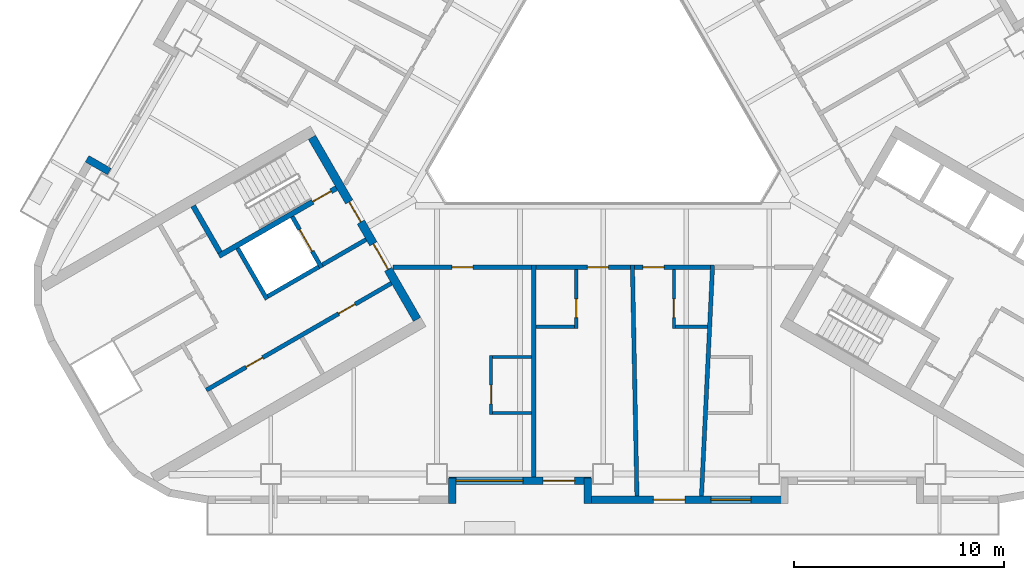
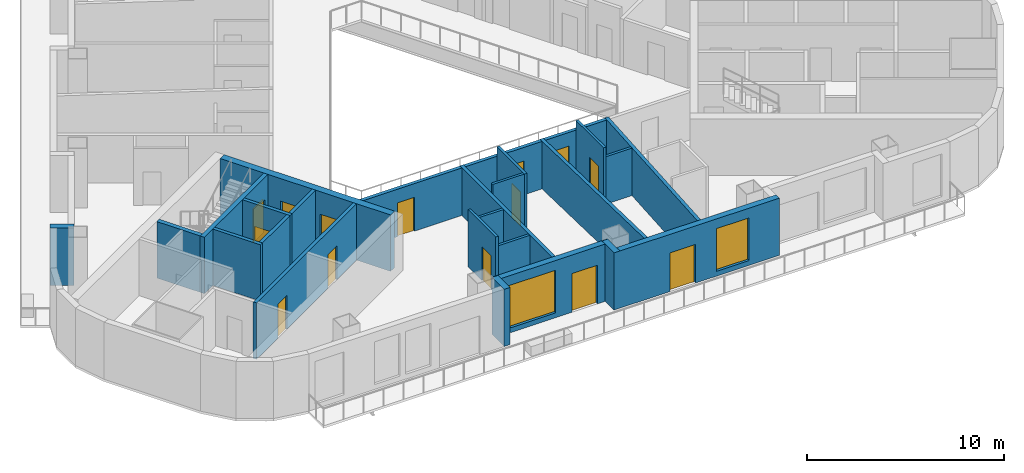
# One storey, part 3 of 14: 26 walls, 14 doors, 2 windows, 16 openings.
"""IFC4 building model written with IfcOpenShell, lengths in metres."""

from ifc_helpers import new_model, si_unit, direction, frame, frame_2d, origin, place, context, subcontext, project, spatial, rectangle, extrude, material, layer, layer_set, type_object, element, fill, save


model = new_model("IFC4")

# Units and contexts
model_context = context("Model", 3, precision=1e-05, world=origin(), true_north=direction((0.0, 1.0)))
body_context = subcontext(model_context, "Body", "Model", "MODEL_VIEW")
ifc_project = project(units=[si_unit("LENGTHUNIT", "METRE"), si_unit("AREAUNIT", "SQUARE_METRE"), si_unit("VOLUMEUNIT", "CUBIC_METRE"), si_unit("PLANEANGLEUNIT", "RADIAN"), si_unit("MASSUNIT", "GRAM", prefix="KILO")], contexts=[model_context])

# Site, building, storey
site_placement = place(None, origin())
site = spatial("IfcSite", under=ifc_project, at=site_placement, CompositionType="ELEMENT")
building_placement = place(site_placement, origin())
building = spatial("IfcBuilding", under=site, at=building_placement, Name="Apuvela Tower Hotel", CompositionType="ELEMENT")
storey_placement = place(building_placement, frame((0.0, 0.0, 50.199951171875)))
storey = spatial("IfcBuildingStorey", under=building, at=storey_placement, Name="L09", CompositionType="ELEMENT", Elevation=50.199951171875)

# Wall, openings, doors
ifc_material_1 = material(Name="Concrete C50/60", Category="concrete")
ifc_layer_1 = layer(ifc_material_1, 0.39990234375)
ifc_layer_set_1 = layer_set([ifc_layer_1], Name="COR-WALL-CORE-400")
wall_type_1 = type_object("IfcWallType", Name="COR-WALL-CORE-400", PredefinedType="SHEAR", material=ifc_layer_set_1)
wall_1_placement = place(storey_placement, frame((-13.844970703125, -2.219970703125, 0.0), z_axis=(0.0, 0.0, 1.0), x_axis=(0.500004234368, -0.866022959057, 0.0)))
wall_1 = element("IfcWall", 1, at=wall_1_placement, inside=storey, type_object=wall_type_1, Name="Core wall SW", PredefinedType="SHEAR", context=body_context, shape_type="SweptSolid", body=[
    extrude(rectangle(XDim=10.0, YDim=0.39990234375, at=frame_2d((5.0, 0.0))), origin(), (0.0, 0.0, 1.0), 3.5),
])
opening_1_placement = place(wall_1_placement, frame((3.550048828125, 0.0, 0.0)))
opening_1 = element("IfcOpeningElement", 2, at=opening_1_placement, cuts=wall_1, Name="Opening W-FD", PredefinedType="OPENING", context=body_context, shape_type="SweptSolid", body=[
    extrude(rectangle(XDim=1.10009765625, YDim=2.10009765625, at=frame_2d((0.550048828125, 1.050048828125))), frame((0.0, 0.2099609375, 0.0), z_axis=(0.0, -1.0, 0.0), x_axis=(1.0, 0.0, 0.0)), (0.0, 0.0, 1.0), 0.419921875),
])
opening_2_placement = place(wall_1_placement, frame((5.85009765625, 0.0, 0.0)))
opening_2 = element("IfcOpeningElement", 3, at=opening_2_placement, cuts=wall_1, Name="Opening W-GD", PredefinedType="OPENING", context=body_context, shape_type="SweptSolid", body=[
    extrude(rectangle(XDim=1.39990234375, YDim=2.10009765625, at=frame_2d((0.699951171875, 1.050048828125))), frame((0.0, 0.2099609375, 0.0), z_axis=(0.0, -1.0, 0.0), x_axis=(1.0, 0.0, 0.0)), (0.0, 0.0, 1.0), 0.419921875),
])
ifc_material_2 = material(Name="Steel fire door, powder coated", Category="steel")
door_type_1 = type_object("IfcDoorType", Name="COR-FD-1100", OperationType="NOTDEFINED", PredefinedType="DOOR", material=ifc_material_2)
door_1_placement = place(opening_1_placement, frame((1.10009765625, 0.0, 0.0), z_axis=(0.0, 0.0, 1.0), x_axis=(-1.0, 0.0, 0.0)))
door_1 = element("IfcDoor", 4, at=door_1_placement, inside=storey, type_object=door_type_1, Name="Firefighting lobby door W-FD", OperationType="SINGLE_SWING_LEFT", OverallHeight=2.10009765625, OverallWidth=1.10009765625, PredefinedType="DOOR", context=body_context, shape_type="SweptSolid", body=[
    extrude(rectangle(XDim=1.10009765625, YDim=2.10009765625, at=frame_2d((0.550048828125, 1.050048828125))), frame((0.0, 0.02490234375, 0.0), z_axis=(0.0, -1.0, 0.0), x_axis=(1.0, 0.0, 0.0)), (0.0, 0.0, 1.0), 0.050048828125),
])
fill(opening_1, door_1)
ifc_material_3 = material(Name="Glazed steel fire door", Category="steel")
door_type_2 = type_object("IfcDoorType", Name="COR-GD-1400", OperationType="DOUBLE_DOOR_SINGLE_SWING", PredefinedType="DOOR", material=ifc_material_3)
door_2_placement = place(opening_2_placement, frame((1.39990234375, 0.0, 0.0), z_axis=(0.0, 0.0, 1.0), x_axis=(-1.0, 0.0, 0.0)))
door_2 = element("IfcDoor", 5, at=door_2_placement, inside=storey, type_object=door_type_2, Name="Lift lobby door W-GD", OperationType="DOUBLE_DOOR_SINGLE_SWING", OverallHeight=2.10009765625, OverallWidth=1.39990234375, PredefinedType="DOOR", context=body_context, shape_type="SweptSolid", body=[
    extrude(rectangle(XDim=1.39990234375, YDim=2.10009765625, at=frame_2d((0.699951171875, 1.050048828125))), frame((0.0, 0.02490234375, 0.0), z_axis=(0.0, -1.0, 0.0), x_axis=(1.0, 0.0, 0.0)), (0.0, 0.0, 1.0), 0.050048828125),
])
fill(opening_2, door_2)

# Wall
ifc_layer_2 = layer(ifc_material_1, 0.199951171875)
ifc_layer_set_2 = layer_set([ifc_layer_2], Name="COR-WALL-SHAFT-200")
wall_type_2 = type_object("IfcWallType", Name="COR-WALL-SHAFT-200", PredefinedType="SHEAR", material=ifc_layer_set_2)
wall_2_placement = place(storey_placement, frame((-17.38134765625, -7.49462890625, 0.0), z_axis=(0.0, 0.0, 1.0), x_axis=(0.500011755427, -0.866018616679, 0.0)))
element("IfcWall", 6, at=wall_2_placement, inside=storey, type_object=wall_type_2, Name="Shaft wall SW", PredefinedType="SHEAR", context=body_context, shape_type="SweptSolid", body=[
    extrude(rectangle(XDim=2.80029296875, YDim=0.199951171875, at=frame_2d((1.400146484375, 0.0))), origin(), (0.0, 0.0, 1.0), 3.5),
])

# Wall, opening, door
wall_3_placement = place(storey_placement, frame((-14.783203125, -5.99462890625, 0.0), z_axis=(0.0, 0.0, 1.0), x_axis=(0.49994636267, -0.866056369097, 0.0)))
wall_3 = element("IfcWall", 7, at=wall_3_placement, inside=storey, type_object=wall_type_2, Name="Shaft wall SW", PredefinedType="SHEAR", context=body_context, shape_type="SweptSolid", body=[
    extrude(rectangle(XDim=2.800048828125, YDim=0.199951171875, at=frame_2d((1.39990234375, 0.0))), origin(), (0.0, 0.0, 1.0), 3.5),
])
opening_3_placement = place(wall_3_placement, frame((0.699951171875, 0.0, 0.0)))
opening_3 = element("IfcOpeningElement", 8, at=opening_3_placement, cuts=wall_3, Name="Opening W-LD-FS2", PredefinedType="OPENING", context=body_context, shape_type="SweptSolid", body=[
    extrude(rectangle(XDim=1.199951171875, YDim=2.10009765625, at=frame_2d((0.60009765625, 1.050048828125))), frame((0.0, 0.10986328125, 0.0), z_axis=(0.0, -1.0, 0.0), x_axis=(1.0, 0.0, 0.0)), (0.0, 0.0, 1.0), 0.219970703125),
])
ifc_material_4 = material(Name="Stainless steel lift landing door", Category="steel")
door_type_3 = type_object("IfcDoorType", Name="COR-LD-1200", OperationType="DOUBLE_DOOR_SLIDING", PredefinedType="DOOR", material=ifc_material_4)
door_3_placement = place(opening_3_placement, origin())
door_3 = element("IfcDoor", 9, at=door_3_placement, inside=storey, type_object=door_type_3, Name="Lift landing door W-LD-FS2", OperationType="DOUBLE_DOOR_SLIDING", OverallHeight=2.10009765625, OverallWidth=1.199951171875, PredefinedType="DOOR", context=body_context, shape_type="SweptSolid", body=[
    extrude(rectangle(XDim=1.199951171875, YDim=2.10009765625, at=frame_2d((0.60009765625, 1.050048828125))), frame((0.0, 0.02490234375, 0.0), z_axis=(0.0, -1.0, 0.0), x_axis=(1.0, 0.0, 0.0)), (0.0, 0.0, 1.0), 0.050048828125),
])
fill(opening_3, door_3)

# Walls
wall_4_placement = place(storey_placement, frame((-13.519775390625, -8.383056640625, 0.0), z_axis=(0.0, 0.0, 1.0), x_axis=(-0.866034573852, -0.49998411664, 0.0)))
element("IfcWall", 10, at=wall_4_placement, inside=storey, type_object=wall_type_2, Name="Shaft wall SW", PredefinedType="SHEAR", context=body_context, shape_type="SweptSolid", body=[
    extrude(rectangle(XDim=2.7998046875, YDim=0.199951171875, at=frame_2d((1.39990234375, 0.0))), origin(), (0.0, 0.0, 1.0), 3.5),
])
wall_5_placement = place(storey_placement, frame((-11.26806640625, -7.0830078125, 0.0), z_axis=(0.0, 0.0, 1.0), x_axis=(-0.866050077142, -0.499957262057, 0.0)))
element("IfcWall", 11, at=wall_5_placement, inside=storey, type_object=wall_type_2, Name="Shaft wall SW", PredefinedType="SHEAR", context=body_context, shape_type="SweptSolid", body=[
    extrude(rectangle(XDim=2.400146484375, YDim=0.199951171875, at=frame_2d((1.2001953125, 0.0))), origin(), (0.0, 0.0, 1.0), 3.5),
])

# Wall, openings, doors
wall_6_placement = place(storey_placement, frame((-10.068115234375, -9.16162109375, 0.0), z_axis=(0.0, 0.0, 1.0), x_axis=(-0.866032725843, -0.499987317609, 0.0)))
wall_6 = element("IfcWall", 12, at=wall_6_placement, inside=storey, type_object=wall_type_2, Name="Shaft wall SW", PredefinedType="SHEAR", context=body_context, shape_type="SweptSolid", body=[
    extrude(rectangle(XDim=10.159912109375, YDim=0.199951171875, at=frame_2d((5.080078125, 0.0))), origin(), (0.0, 0.0, 1.0), 3.5),
])
opening_4_placement = place(wall_6_placement, frame((1.989990234375, 0.0, 0.0)))
opening_4 = element("IfcOpeningElement", 13, at=opening_4_placement, cuts=wall_6, Name="Opening W-RE1", PredefinedType="OPENING", context=body_context, shape_type="SweptSolid", body=[
    extrude(rectangle(XDim=0.89990234375, YDim=2.10009765625, at=frame_2d((0.449951171875, 1.050048828125))), frame((0.0, 0.10986328125, 0.0), z_axis=(0.0, -1.0, 0.0), x_axis=(1.0, 0.0, 0.0)), (0.0, 0.0, 1.0), 0.219970703125),
])
opening_5_placement = place(wall_6_placement, frame((7.070068359375, 0.0, 0.0)))
opening_5 = element("IfcOpeningElement", 14, at=opening_5_placement, cuts=wall_6, Name="Opening W-RE3", PredefinedType="OPENING", context=body_context, shape_type="SweptSolid", body=[
    extrude(rectangle(XDim=0.89990234375, YDim=2.10009765625, at=frame_2d((0.449951171875, 1.050048828125))), frame((0.0, 0.10986328125, 0.0), z_axis=(0.0, -1.0, 0.0), x_axis=(1.0, 0.0, 0.0)), (0.0, 0.0, 1.0), 0.219970703125),
])
door_type_4 = type_object("IfcDoorType", Name="COR-DR-900", OperationType="NOTDEFINED", PredefinedType="DOOR", material=ifc_material_2)
door_4_placement = place(opening_4_placement, origin())
door_4 = element("IfcDoor", 15, at=door_4_placement, inside=storey, type_object=door_type_4, Name="Store door W-RE1", OperationType="SINGLE_SWING_LEFT", OverallHeight=2.10009765625, OverallWidth=0.89990234375, PredefinedType="DOOR", context=body_context, shape_type="SweptSolid", body=[
    extrude(rectangle(XDim=0.89990234375, YDim=2.10009765625, at=frame_2d((0.449951171875, 1.050048828125))), frame((0.0, 0.02490234375, 0.0), z_axis=(0.0, -1.0, 0.0), x_axis=(1.0, 0.0, 0.0)), (0.0, 0.0, 1.0), 0.050048828125),
])
fill(opening_4, door_4)
door_5_placement = place(opening_5_placement, origin())
door_5 = element("IfcDoor", 16, at=door_5_placement, inside=storey, type_object=door_type_4, Name="Store door W-RE3", OperationType="SINGLE_SWING_LEFT", OverallHeight=2.10009765625, OverallWidth=0.89990234375, PredefinedType="DOOR", context=body_context, shape_type="SweptSolid", body=[
    extrude(rectangle(XDim=0.89990234375, YDim=2.10009765625, at=frame_2d((0.449951171875, 1.050048828125))), frame((0.0, 0.02490234375, 0.0), z_axis=(0.0, -1.0, 0.0), x_axis=(1.0, 0.0, 0.0)), (0.0, 0.0, 1.0), 0.050048828125),
])
fill(opening_5, door_5)

# Wall, opening, door
ifc_layer_3 = layer(ifc_material_1, 0.25)
ifc_layer_set_3 = layer_set([ifc_layer_3], Name="COR-WALL-STAIR-250")
wall_type_3 = type_object("IfcWallType", Name="COR-WALL-STAIR-250", PredefinedType="SHEAR", material=ifc_layer_set_3)
wall_7_placement = place(storey_placement, frame((-12.6806640625, -4.636474609375, 0.0), z_axis=(0.0, 0.0, 1.0), x_axis=(-0.866021702275, -0.500006411147, 0.0)))
wall_7 = element("IfcWall", 17, at=wall_7_placement, inside=storey, type_object=wall_type_3, Name="Stair wall SW", PredefinedType="SHEAR", context=body_context, shape_type="SweptSolid", body=[
    extrude(rectangle(XDim=6.4501953125, YDim=0.25, at=frame_2d((3.22509765625, 0.0))), origin(), (0.0, 0.0, 1.0), 3.5),
])
opening_6_placement = place(wall_7_placement, frame((0.300048828125, 0.0, 0.0)))
opening_6 = element("IfcOpeningElement", 18, at=opening_6_placement, cuts=wall_7, Name="Opening W-SD", PredefinedType="OPENING", context=body_context, shape_type="SweptSolid", body=[
    extrude(rectangle(XDim=1.0, YDim=2.10009765625, at=frame_2d((0.5, 1.050048828125))), frame((0.0, 0.135009765625, 0.0), z_axis=(0.0, -1.0, 0.0), x_axis=(1.0, 0.0, 0.0)), (0.0, 0.0, 1.0), 0.27001953125),
])
door_type_5 = type_object("IfcDoorType", Name="COR-SD-1000", OperationType="NOTDEFINED", PredefinedType="DOOR", material=ifc_material_2)
door_6_placement = place(opening_6_placement, frame((1.0, 0.0, 0.0), z_axis=(0.0, 0.0, 1.0), x_axis=(-1.0, 0.0, 0.0)))
door_6 = element("IfcDoor", 19, at=door_6_placement, inside=storey, type_object=door_type_5, Name="Stair door W-SD", OperationType="SINGLE_SWING_LEFT", OverallHeight=2.10009765625, OverallWidth=1.0, PredefinedType="DOOR", context=body_context, shape_type="SweptSolid", body=[
    extrude(rectangle(XDim=1.0, YDim=2.10009765625, at=frame_2d((0.5, 1.050048828125))), frame((0.0, 0.02490234375, 0.0), z_axis=(0.0, -1.0, 0.0), x_axis=(1.0, 0.0, 0.0)), (0.0, 0.0, 1.0), 0.050048828125),
])
fill(opening_6, door_6)

# Walls
wall_8_placement = place(storey_placement, frame((-19.49560546875, -5.482421875, 0.0), z_axis=(0.0, 0.0, 1.0), x_axis=(0.499990435942, -0.866030925526, 0.0)))
element("IfcWall", 20, at=wall_8_placement, inside=storey, type_object=wall_type_3, Name="Stair wall SW", PredefinedType="SHEAR", context=body_context, shape_type="SweptSolid", body=[
    extrude(rectangle(XDim=2.5498046875, YDim=0.25, at=frame_2d((1.27490234375, 0.0))), origin(), (0.0, 0.0, 1.0), 3.5),
])
ifc_material_5 = material(Name="Concrete C40/50, dark pigmented precast panel", Category="concrete")
ifc_layer_4 = layer(ifc_material_5, 0.35009765625)
ifc_layer_set_4 = layer_set([ifc_layer_4], Name="ENV-WALL-350")
wall_type_4 = type_object("IfcWallType", Name="ENV-WALL-350", PredefinedType="SOLIDWALL", material=ifc_layer_set_4)
for number, where, z_axis, x_axis, name in (
    (21, (-23.48095703125, -3.85009765625, 0.0), (0.0, 0.0, 1.0), (-0.866092288191, 0.499884134912, 0.0), "External wall L09-08"),
    (22, (-7.175048828125, -19.6298828125, 0.0), (0.0, 0.0, 1.0), (0.0, 1.0, 0.0), "External wall L09-18"),
):
    element("IfcWall", number, at=place(storey_placement, frame(where, z_axis=z_axis, x_axis=x_axis)), inside=storey, type_object=wall_type_4, Name=name, PredefinedType="SOLIDWALL", context=body_context, shape_type="SweptSolid", body=[
        extrude(rectangle(XDim=1.219970703125, YDim=0.35009765625, at=frame_2d((0.60986328125, 0.0))), origin(), (0.0, 0.0, 1.0), 3.550048828125),
    ])

# Wall, openings, door, window
wall_9_placement = place(storey_placement, frame((-7.320068359375, -18.554931640625, 0.0), z_axis=(0.0, 0.0, 1.0), x_axis=(1.0, 0.0, 0.0)))
wall_9 = element("IfcWall", 23, at=wall_9_placement, inside=storey, type_object=wall_type_4, Name="External wall L09-19", PredefinedType="SOLIDWALL", context=body_context, shape_type="SweptSolid", body=[
    extrude(rectangle(XDim=6.739990234375, YDim=0.35009765625, at=frame_2d((3.3701171875, 0.0))), origin(), (0.0, 0.0, 1.0), 3.550048828125),
])
opening_7_placement = place(wall_9_placement, frame((0.3203125, 0.0, 0.300048828125)))
opening_7 = element("IfcOpeningElement", 24, at=opening_7_placement, cuts=wall_9, Name="Opening WN32", PredefinedType="OPENING", context=body_context, shape_type="SweptSolid", body=[
    extrude(rectangle(XDim=3.199951171875, YDim=2.64990234375, at=frame_2d((1.60009765625, 1.324951171875))), frame((0.0, 0.18505859375, 0.0), z_axis=(0.0, -1.0, 0.0), x_axis=(1.0, 0.0, 0.0)), (0.0, 0.0, 1.0), 0.3701171875),
])
opening_8_placement = place(wall_9_placement, frame((4.469970703125, 0.0, 0.0)))
opening_8 = element("IfcOpeningElement", 25, at=opening_8_placement, cuts=wall_9, Name="Opening BD15", PredefinedType="OPENING", context=body_context, shape_type="SweptSolid", body=[
    extrude(rectangle(XDim=1.5, YDim=2.39990234375, at=frame_2d((0.75, 1.199951171875))), frame((0.0, 0.18505859375, 0.0), z_axis=(0.0, -1.0, 0.0), x_axis=(1.0, 0.0, 0.0)), (0.0, 0.0, 1.0), 0.3701171875),
])
ifc_material_6 = material(Name="Aluminium 6063-T6, dark bronze anodised frame with dark tinted laminated glass", Category="aluminium")
door_type_6 = type_object("IfcDoorType", Name="ENV-DOOR-BALCONY-1500x2400", OperationType="SLIDING_TO_LEFT", PredefinedType="DOOR", material=ifc_material_6)
door_7_placement = place(opening_8_placement, frame((1.5, 0.0, 0.0), z_axis=(0.0, 0.0, 1.0), x_axis=(-1.0, 0.0, 0.0)))
door_7 = element("IfcDoor", 26, at=door_7_placement, inside=storey, type_object=door_type_6, Name="Balcony door BD15", OperationType="SLIDING_TO_LEFT", OverallHeight=2.39990234375, OverallWidth=1.5, PredefinedType="DOOR", context=body_context, shape_type="SweptSolid", body=[
    extrude(rectangle(XDim=1.5, YDim=2.39990234375, at=frame_2d((0.75, 1.199951171875))), frame((0.0, 0.02490234375, 0.0), z_axis=(0.0, -1.0, 0.0), x_axis=(1.0, 0.0, 0.0)), (0.0, 0.0, 1.0), 0.050048828125),
])
fill(opening_8, door_7)
ifc_material_7 = material(Name="Glass, dark tinted laminated insulated glazing unit", Category="glass")
window_type_1 = type_object("IfcWindowType", Name="ENV-WIN-3200x2650", PartitioningType="SINGLE_PANEL", PredefinedType="WINDOW", material=ifc_material_7)
window_1_placement = place(opening_7_placement, origin())
window_1 = element("IfcWindow", 27, at=window_1_placement, inside=storey, type_object=window_type_1, Name="Window WN32", OverallHeight=2.64990234375, OverallWidth=3.199951171875, PartitioningType="SINGLE_PANEL", PredefinedType="WINDOW", context=body_context, shape_type="SweptSolid", body=[
    extrude(rectangle(XDim=3.199951171875, YDim=2.64990234375, at=frame_2d((1.60009765625, 1.324951171875))), frame((0.0, 0.030029296875, 0.0), z_axis=(0.0, -1.0, 0.0), x_axis=(1.0, 0.0, 0.0)), (0.0, 0.0, 1.0), 0.06005859375),
])
fill(opening_7, window_1)

# Wall
wall_10_placement = place(storey_placement, frame((-0.72509765625, -18.409912109375, 0.0), z_axis=(0.0, 0.0, 1.0), x_axis=(0.0, -1.0, 0.0)))
element("IfcWall", 28, at=wall_10_placement, inside=storey, type_object=wall_type_4, Name="External wall L09-20", PredefinedType="SOLIDWALL", context=body_context, shape_type="SweptSolid", body=[
    extrude(rectangle(XDim=1.219970703125, YDim=0.35009765625, at=frame_2d((0.60986328125, 0.0))), origin(), (0.0, 0.0, 1.0), 3.550048828125),
])

# Wall, openings, door, window
wall_11_placement = place(storey_placement, frame((-0.89990234375, -19.455078125, 0.0), z_axis=(0.0, 0.0, 1.0), x_axis=(1.0, 0.0, 0.0)))
wall_11 = element("IfcWall", 29, at=wall_11_placement, inside=storey, type_object=wall_type_4, Name="External wall L09-21", PredefinedType="SOLIDWALL", context=body_context, shape_type="SweptSolid", body=[
    extrude(rectangle(XDim=9.699951171875, YDim=0.35009765625, at=frame_2d((4.85009765625, 0.0))), origin(), (0.0, 0.0, 1.0), 3.550048828125),
])
opening_9_placement = place(wall_11_placement, frame((3.294921875, 0.0, 0.0)))
opening_9 = element("IfcOpeningElement", 30, at=opening_9_placement, cuts=wall_11, Name="Opening BD15", PredefinedType="OPENING", context=body_context, shape_type="SweptSolid", body=[
    extrude(rectangle(XDim=1.5, YDim=2.39990234375, at=frame_2d((0.75, 1.199951171875))), frame((0.0, 0.18505859375, 0.0), z_axis=(0.0, -1.0, 0.0), x_axis=(1.0, 0.0, 0.0)), (0.0, 0.0, 1.0), 0.3701171875),
])
opening_10_placement = place(wall_11_placement, frame((6.0302734375, 0.0, 0.300048828125)))
opening_10 = element("IfcOpeningElement", 31, at=opening_10_placement, cuts=wall_11, Name="Opening WN19", PredefinedType="OPENING", context=body_context, shape_type="SweptSolid", body=[
    extrude(rectangle(XDim=1.89990234375, YDim=2.64990234375, at=frame_2d((0.949951171875, 1.324951171875))), frame((0.0, 0.18505859375, 0.0), z_axis=(0.0, -1.0, 0.0), x_axis=(1.0, 0.0, 0.0)), (0.0, 0.0, 1.0), 0.3701171875),
])
door_8_placement = place(opening_9_placement, frame((1.5, 0.0, 0.0), z_axis=(0.0, 0.0, 1.0), x_axis=(-1.0, 0.0, 0.0)))
door_8 = element("IfcDoor", 32, at=door_8_placement, inside=storey, type_object=door_type_6, Name="Balcony door BD15", OperationType="SLIDING_TO_LEFT", OverallHeight=2.39990234375, OverallWidth=1.5, PredefinedType="DOOR", context=body_context, shape_type="SweptSolid", body=[
    extrude(rectangle(XDim=1.5, YDim=2.39990234375, at=frame_2d((0.75, 1.199951171875))), frame((0.0, 0.02490234375, 0.0), z_axis=(0.0, -1.0, 0.0), x_axis=(1.0, 0.0, 0.0)), (0.0, 0.0, 1.0), 0.050048828125),
])
fill(opening_9, door_8)
window_type_2 = type_object("IfcWindowType", Name="ENV-WIN-1900x2650", PartitioningType="SINGLE_PANEL", PredefinedType="WINDOW", material=ifc_material_7)
window_2_placement = place(opening_10_placement, origin())
window_2 = element("IfcWindow", 33, at=window_2_placement, inside=storey, type_object=window_type_2, Name="Window WN19", OverallHeight=2.64990234375, OverallWidth=1.89990234375, PartitioningType="SINGLE_PANEL", PredefinedType="WINDOW", context=body_context, shape_type="SweptSolid", body=[
    extrude(rectangle(XDim=1.89990234375, YDim=2.64990234375, at=frame_2d((0.949951171875, 1.324951171875))), frame((0.0, 0.030029296875, 0.0), z_axis=(0.0, -1.0, 0.0), x_axis=(1.0, 0.0, 0.0)), (0.0, 0.0, 1.0), 0.06005859375),
])
fill(opening_10, window_2)

# Walls
ifc_material_8 = material(Name="Gypsum board partition on twin steel stud", Category="steel")
ifc_layer_5 = layer(ifc_material_8, 0.199951171875)
ifc_layer_set_5 = layer_set([ifc_layer_5], Name="GST-PW1")
wall_type_5 = type_object("IfcWallType", Name="GST-PW1", PredefinedType="PARTITIONING", material=ifc_layer_set_5)
wall_12_placement = place(storey_placement, frame((-3.300048828125, -18.3798828125, 0.0), z_axis=(0.0, 0.0, 1.0), x_axis=(0.0, 1.0, 0.0)))
element("IfcWall", 34, at=wall_12_placement, inside=storey, type_object=wall_type_5, Name="L09 partition 01", PredefinedType="PARTITIONING", context=body_context, shape_type="SweptSolid", body=[
    extrude(rectangle(XDim=10.079833984375, YDim=0.199951171875, at=frame_2d((5.0400390625, 0.0))), origin(), (0.0, 0.0, 1.0), 2.9599609375),
])
wall_13_placement = place(storey_placement, frame((1.610107421875, -19.280029296875, 0.0), z_axis=(0.0, 0.0, 1.0), x_axis=(-0.019496449176, 0.999809926171, 0.0)))
element("IfcWall", 35, at=wall_13_placement, inside=storey, type_object=wall_type_5, Name="L09 partition 02", PredefinedType="PARTITIONING", context=body_context, shape_type="SweptSolid", body=[
    extrude(rectangle(XDim=10.982177734375, YDim=0.199951171875, at=frame_2d((5.4912109375, 0.0))), origin(), (0.0, 0.0, 1.0), 2.9599609375),
])
wall_14_placement = place(storey_placement, frame((4.679931640625, -19.280029296875, 0.0), z_axis=(0.0, 0.0, 1.0), x_axis=(0.048194033078, 0.998837992457, 0.0)))
element("IfcWall", 36, at=wall_14_placement, inside=storey, type_object=wall_type_5, Name="L09 partition 03", PredefinedType="PARTITIONING", context=body_context, shape_type="SweptSolid", body=[
    extrude(rectangle(XDim=10.99267578125, YDim=0.199951171875, at=frame_2d((5.496337890625, 0.0))), origin(), (0.0, 0.0, 1.0), 2.9599609375),
])

# Wall, opening, door
ifc_material_9 = material(Name="Gypsum board corridor wall on twin steel stud, acoustic", Category="steel")
ifc_layer_6 = layer(ifc_material_9, 0.199951171875)
ifc_layer_set_6 = layer_set([ifc_layer_6], Name="GST-PW2")
wall_type_6 = type_object("IfcWallType", Name="GST-PW2", PredefinedType="PARTITIONING", material=ifc_layer_set_6)
wall_15_placement = place(storey_placement, frame((-3.39990234375, -8.39990234375, 0.0), z_axis=(0.0, 0.0, 1.0), x_axis=(-1.0, 0.0, 0.0)))
wall_15 = element("IfcWall", 37, at=wall_15_placement, inside=storey, type_object=wall_type_6, Name="L09 partition 12", PredefinedType="PARTITIONING", context=body_context, shape_type="SweptSolid", body=[
    extrude(rectangle(XDim=6.58837890625, YDim=0.199951171875, at=frame_2d((3.294189453125, 0.0))), origin(), (0.0, 0.0, 1.0), 2.949951171875),
])
opening_11_placement = place(wall_15_placement, frame((2.794189453125, 0.0, 0.0)))
opening_11 = element("IfcOpeningElement", 38, at=opening_11_placement, cuts=wall_15, Name="Opening GD01-02", PredefinedType="OPENING", context=body_context, shape_type="SweptSolid", body=[
    extrude(rectangle(XDim=1.0, YDim=2.10009765625, at=frame_2d((0.5, 1.050048828125))), frame((0.0, 0.10986328125, 0.0), z_axis=(0.0, -1.0, 0.0), x_axis=(1.0, 0.0, 0.0)), (0.0, 0.0, 1.0), 0.219970703125),
])
ifc_material_10 = material(Name="Timber door leaf in steel frame", Category="steel")
door_type_7 = type_object("IfcDoorType", Name="GST-D1", OperationType="NOTDEFINED", PredefinedType="DOOR", material=ifc_material_10)
door_9_placement = place(opening_11_placement, origin())
door_9 = element("IfcDoor", 39, at=door_9_placement, inside=storey, type_object=door_type_7, Name="Door L09-02", OperationType="SINGLE_SWING_LEFT", OverallHeight=2.10009765625, OverallWidth=1.0, PredefinedType="DOOR", context=body_context, shape_type="SweptSolid", body=[
    extrude(rectangle(XDim=1.0, YDim=2.10009765625, at=frame_2d((0.5, 1.050048828125))), frame((0.0, 0.02490234375, 0.0), z_axis=(0.0, -1.0, 0.0), x_axis=(1.0, 0.0, 0.0)), (0.0, 0.0, 1.0), 0.050048828125),
])
fill(opening_11, door_9)

wall_16_placement = place(storey_placement, frame((1.298095703125, -8.39990234375, 0.0), z_axis=(0.0, 0.0, 1.0), x_axis=(-1.0, 0.0, 0.0)))
wall_16 = element("IfcWall", 40, at=wall_16_placement, inside=storey, type_object=wall_type_6, Name="L09 partition 16", PredefinedType="PARTITIONING", context=body_context, shape_type="SweptSolid", body=[
    extrude(rectangle(XDim=4.498046875, YDim=0.199951171875, at=frame_2d((2.2490234375, 0.0))), origin(), (0.0, 0.0, 1.0), 2.949951171875),
])
opening_12_placement = place(wall_16_placement, frame((1.048095703125, 0.0, 0.0)))
opening_12 = element("IfcOpeningElement", 41, at=opening_12_placement, cuts=wall_16, Name="Opening GD01-04", PredefinedType="OPENING", context=body_context, shape_type="SweptSolid", body=[
    extrude(rectangle(XDim=1.0, YDim=2.10009765625, at=frame_2d((0.5, 1.050048828125))), frame((0.0, 0.10986328125, 0.0), z_axis=(0.0, -1.0, 0.0), x_axis=(1.0, 0.0, 0.0)), (0.0, 0.0, 1.0), 0.219970703125),
])
door_10_placement = place(opening_12_placement, origin())
door_10 = element("IfcDoor", 42, at=door_10_placement, inside=storey, type_object=door_type_7, Name="Door L09-04", OperationType="SINGLE_SWING_LEFT", OverallHeight=2.10009765625, OverallWidth=1.0, PredefinedType="DOOR", context=body_context, shape_type="SweptSolid", body=[
    extrude(rectangle(XDim=1.0, YDim=2.10009765625, at=frame_2d((0.5, 1.050048828125))), frame((0.0, 0.02490234375, 0.0), z_axis=(0.0, -1.0, 0.0), x_axis=(1.0, 0.0, 0.0)), (0.0, 0.0, 1.0), 0.050048828125),
])
fill(opening_12, door_10)

wall_17_placement = place(storey_placement, frame((5.104736328125, -8.39990234375, 0.0), z_axis=(0.0, 0.0, 1.0), x_axis=(-1.0, 0.0, 0.0)))
wall_17 = element("IfcWall", 43, at=wall_17_placement, inside=storey, type_object=wall_type_6, Name="L09 partition 19", PredefinedType="PARTITIONING", context=body_context, shape_type="SweptSolid", body=[
    extrude(rectangle(XDim=3.606689453125, YDim=0.199951171875, at=frame_2d((1.80322265625, 0.0))), origin(), (0.0, 0.0, 1.0), 2.949951171875),
])
opening_13_placement = place(wall_17_placement, frame((2.20654296875, 0.0, 0.0)))
opening_13 = element("IfcOpeningElement", 44, at=opening_13_placement, cuts=wall_17, Name="Opening GD01-06", PredefinedType="OPENING", context=body_context, shape_type="SweptSolid", body=[
    extrude(rectangle(XDim=1.0, YDim=2.10009765625, at=frame_2d((0.5, 1.050048828125))), frame((0.0, 0.10986328125, 0.0), z_axis=(0.0, -1.0, 0.0), x_axis=(1.0, 0.0, 0.0)), (0.0, 0.0, 1.0), 0.219970703125),
])
door_11_placement = place(opening_13_placement, origin())
door_11 = element("IfcDoor", 45, at=door_11_placement, inside=storey, type_object=door_type_7, Name="Door L09-06", OperationType="SINGLE_SWING_RIGHT", OverallHeight=2.10009765625, OverallWidth=1.0, PredefinedType="DOOR", context=body_context, shape_type="SweptSolid", body=[
    extrude(rectangle(XDim=1.0, YDim=2.10009765625, at=frame_2d((0.5, 1.050048828125))), frame((0.0, 0.02490234375, 0.0), z_axis=(0.0, -1.0, 0.0), x_axis=(1.0, 0.0, 0.0)), (0.0, 0.0, 1.0), 0.050048828125),
])
fill(opening_13, door_11)

ifc_material_11 = material(Name="Moisture-resistant gypsum board wet wall on steel stud", Category="steel")
ifc_layer_7 = layer(ifc_material_11, 0.14990234375)
ifc_layer_set_7 = layer_set([ifc_layer_7], Name="GST-PW3")
wall_type_7 = type_object("IfcWallType", Name="GST-PW3", PredefinedType="PARTITIONING", material=ifc_layer_set_7)
wall_18_placement = place(storey_placement, frame((-5.324951171875, -12.60009765625, 0.0), z_axis=(0.0, 0.0, 1.0), x_axis=(0.0, -1.0, 0.0)))
wall_18 = element("IfcWall", 46, at=wall_18_placement, inside=storey, type_object=wall_type_7, Name="L09 partition 13", PredefinedType="PARTITIONING", context=body_context, shape_type="SweptSolid", body=[
    extrude(rectangle(XDim=2.7998046875, YDim=0.14990234375, at=frame_2d((1.39990234375, 0.0))), origin(), (0.0, 0.0, 1.0), 3.550048828125),
])
opening_14_placement = place(wall_18_placement, frame((1.39990234375, 0.0, 0.0)))
opening_14 = element("IfcOpeningElement", 47, at=opening_14_placement, cuts=wall_18, Name="Opening GD01-01", PredefinedType="OPENING", context=body_context, shape_type="SweptSolid", body=[
    extrude(rectangle(XDim=0.89990234375, YDim=2.10009765625, at=frame_2d((0.449951171875, 1.050048828125))), frame((0.0, 0.0849609375, 0.0), z_axis=(0.0, -1.0, 0.0), x_axis=(1.0, 0.0, 0.0)), (0.0, 0.0, 1.0), 0.169921875),
])
door_type_8 = type_object("IfcDoorType", Name="GST-D2", OperationType="NOTDEFINED", PredefinedType="DOOR", material=ifc_material_10)
door_12_placement = place(opening_14_placement, origin())
door_12 = element("IfcDoor", 48, at=door_12_placement, inside=storey, type_object=door_type_8, Name="Door L09-01", OperationType="SINGLE_SWING_RIGHT", OverallHeight=2.10009765625, OverallWidth=0.89990234375, PredefinedType="DOOR", context=body_context, shape_type="SweptSolid", body=[
    extrude(rectangle(XDim=0.89990234375, YDim=2.10009765625, at=frame_2d((0.449951171875, 1.050048828125))), frame((0.0, 0.02490234375, 0.0), z_axis=(0.0, -1.0, 0.0), x_axis=(1.0, 0.0, 0.0)), (0.0, 0.0, 1.0), 0.050048828125),
])
fill(opening_14, door_12)

# Walls
for number, where, z_axis, x_axis, name in (
    (49, (-5.25, -15.324951171875, 0.0), (0.0, 0.0, 1.0), (1.0, 0.0, 0.0), "L09 partition 14"),
    (50, (-5.25, -12.675048828125, 0.0), (0.0, 0.0, 1.0), (1.0, 0.0, 0.0), "L09 partition 15"),
):
    element("IfcWall", number, at=place(storey_placement, frame(where, z_axis=z_axis, x_axis=x_axis)), inside=storey, type_object=wall_type_7, Name=name, PredefinedType="PARTITIONING", context=body_context, shape_type="SweptSolid", body=[
        extrude(rectangle(XDim=1.85009765625, YDim=0.14990234375, at=frame_2d((0.925048828125, 0.0))), origin(), (0.0, 0.0, 1.0), 2.949951171875),
    ])

# Wall, opening, door
wall_19_placement = place(storey_placement, frame((-1.27490234375, -11.300048828125, 0.0), z_axis=(0.0, 0.0, 1.0), x_axis=(0.0, 1.0, 0.0)))
wall_19 = element("IfcWall", 51, at=wall_19_placement, inside=storey, type_object=wall_type_7, Name="L09 partition 17", PredefinedType="PARTITIONING", context=body_context, shape_type="SweptSolid", body=[
    extrude(rectangle(XDim=2.800048828125, YDim=0.14990234375, at=frame_2d((1.39990234375, 0.0))), origin(), (0.0, 0.0, 1.0), 3.550048828125),
])
opening_15_placement = place(wall_19_placement, frame((0.5, 0.0, 0.0)))
opening_15 = element("IfcOpeningElement", 52, at=opening_15_placement, cuts=wall_19, Name="Opening GD01-03", PredefinedType="OPENING", context=body_context, shape_type="SweptSolid", body=[
    extrude(rectangle(XDim=0.89990234375, YDim=2.10009765625, at=frame_2d((0.449951171875, 1.050048828125))), frame((0.0, 0.0849609375, 0.0), z_axis=(0.0, -1.0, 0.0), x_axis=(1.0, 0.0, 0.0)), (0.0, 0.0, 1.0), 0.169921875),
])
door_13_placement = place(opening_15_placement, origin())
door_13 = element("IfcDoor", 53, at=door_13_placement, inside=storey, type_object=door_type_8, Name="Door L09-03", OperationType="SINGLE_SWING_LEFT", OverallHeight=2.10009765625, OverallWidth=0.89990234375, PredefinedType="DOOR", context=body_context, shape_type="SweptSolid", body=[
    extrude(rectangle(XDim=0.89990234375, YDim=2.10009765625, at=frame_2d((0.449951171875, 1.050048828125))), frame((0.0, 0.02490234375, 0.0), z_axis=(0.0, -1.0, 0.0), x_axis=(1.0, 0.0, 0.0)), (0.0, 0.0, 1.0), 0.050048828125),
])
fill(opening_15, door_13)

# Wall
wall_20_placement = place(storey_placement, frame((-3.199951171875, -11.22509765625, 0.0), z_axis=(0.0, 0.0, 1.0), x_axis=(1.0, 0.0, 0.0)))
element("IfcWall", 54, at=wall_20_placement, inside=storey, type_object=wall_type_7, Name="L09 partition 18", PredefinedType="PARTITIONING", context=body_context, shape_type="SweptSolid", body=[
    extrude(rectangle(XDim=1.849853515625, YDim=0.14990234375, at=frame_2d((0.9248046875, 0.0))), origin(), (0.0, 0.0, 1.0), 3.550048828125),
])

# Wall, opening, door
wall_21_placement = place(storey_placement, frame((3.3681640625, -8.5, 0.0), z_axis=(0.0, 0.0, 1.0), x_axis=(0.0, -1.0, 0.0)))
wall_21 = element("IfcWall", 55, at=wall_21_placement, inside=storey, type_object=wall_type_7, Name="L09 partition 20", PredefinedType="PARTITIONING", context=body_context, shape_type="SweptSolid", body=[
    extrude(rectangle(XDim=2.800048828125, YDim=0.14990234375, at=frame_2d((1.39990234375, 0.0))), origin(), (0.0, 0.0, 1.0), 3.550048828125),
])
opening_16_placement = place(wall_21_placement, frame((1.39990234375, 0.0, 0.0)))
opening_16 = element("IfcOpeningElement", 56, at=opening_16_placement, cuts=wall_21, Name="Opening GD01-05", PredefinedType="OPENING", context=body_context, shape_type="SweptSolid", body=[
    extrude(rectangle(XDim=0.89990234375, YDim=2.10009765625, at=frame_2d((0.449951171875, 1.050048828125))), frame((0.0, 0.0849609375, 0.0), z_axis=(0.0, -1.0, 0.0), x_axis=(1.0, 0.0, 0.0)), (0.0, 0.0, 1.0), 0.169921875),
])
door_14_placement = place(opening_16_placement, origin())
door_14 = element("IfcDoor", 57, at=door_14_placement, inside=storey, type_object=door_type_8, Name="Door L09-05", OperationType="SINGLE_SWING_RIGHT", OverallHeight=2.10009765625, OverallWidth=0.89990234375, PredefinedType="DOOR", context=body_context, shape_type="SweptSolid", body=[
    extrude(rectangle(XDim=0.89990234375, YDim=2.10009765625, at=frame_2d((0.449951171875, 1.050048828125))), frame((0.0, 0.02490234375, 0.0), z_axis=(0.0, -1.0, 0.0), x_axis=(1.0, 0.0, 0.0)), (0.0, 0.0, 1.0), 0.050048828125),
])
fill(opening_16, door_14)

# Wall
wall_22_placement = place(storey_placement, frame((3.443115234375, -11.22509765625, 0.0), z_axis=(0.0, 0.0, 1.0), x_axis=(1.0, 0.0, 0.0)))
element("IfcWall", 58, at=wall_22_placement, inside=storey, type_object=wall_type_7, Name="L09 partition 21", PredefinedType="PARTITIONING", context=body_context, shape_type="SweptSolid", body=[
    extrude(rectangle(XDim=1.525390625, YDim=0.14990234375, at=frame_2d((0.7626953125, 0.0))), origin(), (0.0, 0.0, 1.0), 2.949951171875),
])

save(model, "model.ifc")
